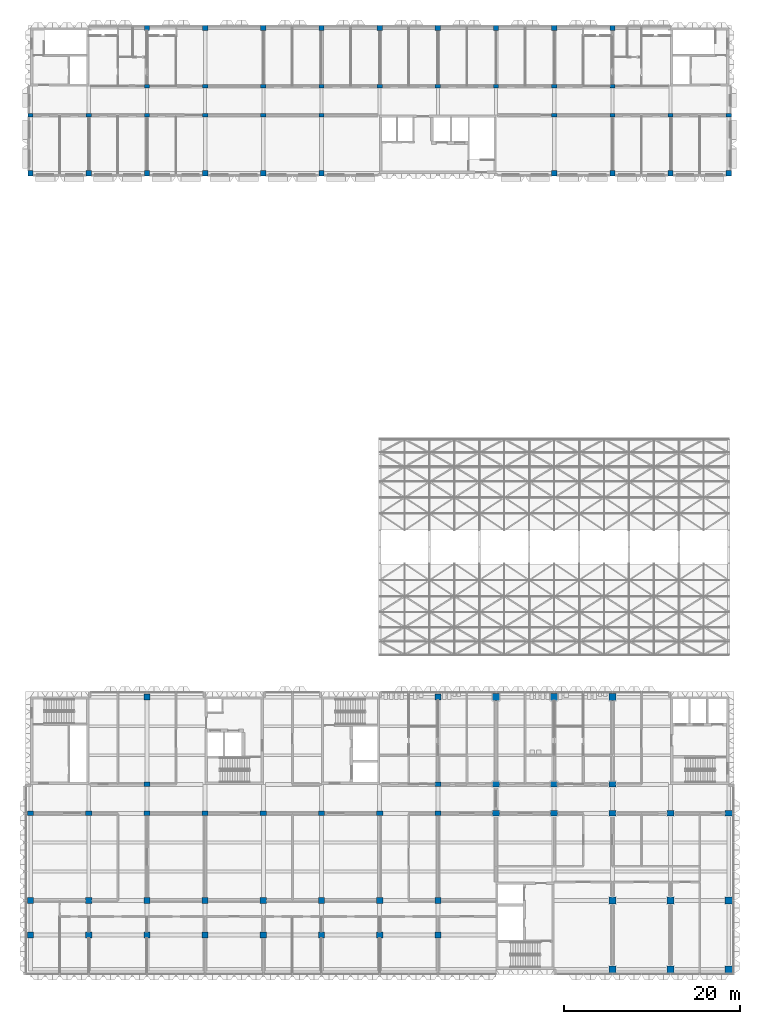
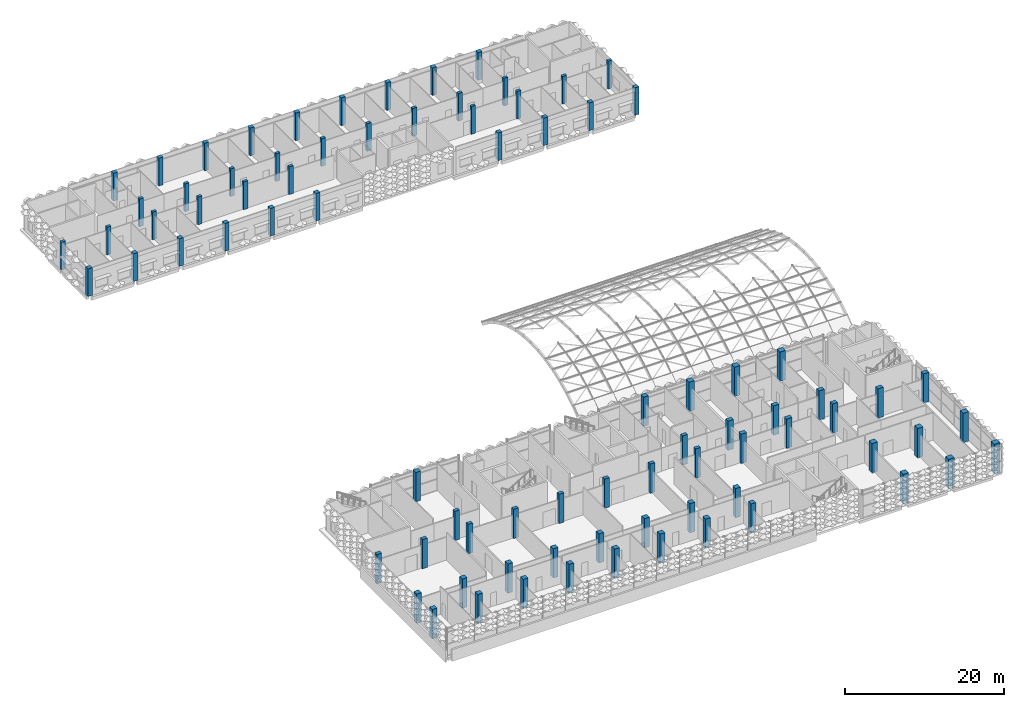
# One storey, part 1 of 85: 83 columns.
"""IFC4 building model written with IfcOpenShell, lengths in metres."""

from ifc_helpers import new_model, si_unit, direction, frame, origin, origin_2d, place, context, subcontext, project, spatial, rectangle, extrude, material, material_profile, profile_set, type_object, element, save


model = new_model("IFC4")

# Units and contexts
model_context = context("Model", 3, precision=1e-05, world=origin(), true_north=direction((0.0, 1.0)))
body_context = subcontext(model_context, "Body", "Model", "MODEL_VIEW")
ifc_project = project(units=[si_unit("LENGTHUNIT", "METRE"), si_unit("AREAUNIT", "SQUARE_METRE"), si_unit("VOLUMEUNIT", "CUBIC_METRE"), si_unit("PLANEANGLEUNIT", "RADIAN"), si_unit("MASSUNIT", "GRAM", prefix="KILO")], contexts=[model_context])

# Site, building, storey
site_placement = place(None, origin())
site = spatial("IfcSite", under=ifc_project, at=site_placement, CompositionType="ELEMENT")
building_placement = place(site_placement, origin())
building = spatial("IfcBuilding", under=site, at=building_placement, Name="Lantern Court Research Institute", CompositionType="ELEMENT")
storey_placement = place(building_placement, frame((0.0, 0.0, 18.89990234375)))
storey = spatial("IfcBuildingStorey", under=building, at=storey_placement, Name="L04", CompositionType="ELEMENT", Elevation=18.89990234375)

# Columns
ifc_material_1 = material(Name="Concrete C40/50", Category="concrete")
ifc_material_profile_1 = material_profile(ifc_material_1, rectangle(XDim=0.60009765625, YDim=0.39990234375, at=origin_2d()), Name="RC column 600 x 400")
ifc_profile_set_1 = profile_set([ifc_material_profile_1], Name="Concrete C40/50")
column_type_1 = type_object("IfcColumnType", Name="RC column 600 x 400", PredefinedType="COLUMN", material=ifc_profile_set_1)
for number, where, z_axis, x_axis, name in (
    (1, (0.0, 89.10009765625, 0.0), (0.0, 0.0, 1.0), (1.0, 0.0, 0.0), "Column L04 grid 1/K"),
    (2, (6.60009765625, 89.10009765625, 0.0), (0.0, 0.0, 1.0), (1.0, 0.0, 0.0), "Column L04 grid 2/K"),
    (3, (13.199951171875, 89.10009765625, 0.0), (0.0, 0.0, 1.0), (1.0, 0.0, 0.0), "Column L04 grid 3/K"),
    (4, (13.199951171875, 92.39990234375, 0.0), (0.0, 0.0, 1.0), (1.0, 0.0, 0.0), "Column L04 grid 3/L"),
    (5, (19.800048828125, 89.10009765625, 0.0), (0.0, 0.0, 1.0), (1.0, 0.0, 0.0), "Column L04 grid 4/K"),
    (6, (19.800048828125, 92.39990234375, 0.0), (0.0, 0.0, 1.0), (1.0, 0.0, 0.0), "Column L04 grid 4/L"),
    (7, (26.39990234375, 89.10009765625, 0.0), (0.0, 0.0, 1.0), (1.0, 0.0, 0.0), "Column L04 grid 5/K"),
    (8, (26.39990234375, 92.39990234375, 0.0), (0.0, 0.0, 1.0), (1.0, 0.0, 0.0), "Column L04 grid 5/L"),
    (9, (33.0, 89.10009765625, 0.0), (0.0, 0.0, 1.0), (1.0, 0.0, 0.0), "Column L04 grid 6/K"),
    (10, (33.0, 92.39990234375, 0.0), (0.0, 0.0, 1.0), (1.0, 0.0, 0.0), "Column L04 grid 6/L"),
    (11, (39.60009765625, 92.39990234375, 0.0), (0.0, 0.0, 1.0), (1.0, 0.0, 0.0), "Column L04 grid 7/L"),
    (12, (46.199951171875, 92.39990234375, 0.0), (0.0, 0.0, 1.0), (1.0, 0.0, 0.0), "Column L04 grid 8/L"),
    (13, (52.800048828125, 92.39990234375, 0.0), (0.0, 0.0, 1.0), (1.0, 0.0, 0.0), "Column L04 grid 9/L"),
    (14, (59.39990234375, 89.10009765625, 0.0), (0.0, 0.0, 1.0), (1.0, 0.0, 0.0), "Column L04 grid 10/K"),
    (15, (59.39990234375, 92.39990234375, 0.0), (0.0, 0.0, 1.0), (1.0, 0.0, 0.0), "Column L04 grid 10/L"),
    (16, (66.0, 89.10009765625, 0.0), (0.0, 0.0, 1.0), (1.0, 0.0, 0.0), "Column L04 grid 11/K"),
    (17, (66.0, 92.39990234375, 0.0), (0.0, 0.0, 1.0), (1.0, 0.0, 0.0), "Column L04 grid 11/L"),
    (18, (72.60009765625, 89.10009765625, 0.0), (0.0, 0.0, 1.0), (1.0, 0.0, 0.0), "Column L04 grid 12/K"),
    (19, (79.199951171875, 89.10009765625, 0.0), (0.0, 0.0, 1.0), (1.0, 0.0, 0.0), "Column L04 grid 13/K"),
):
    element("IfcColumn", number, at=place(storey_placement, frame(where, z_axis=z_axis, x_axis=x_axis)), inside=storey, type_object=column_type_1, Name=name, PredefinedType="COLUMN", context=body_context, shape_type="SweptSolid", body=[
        extrude(rectangle(XDim=0.60009765625, YDim=0.39990234375, at=origin_2d()), origin(), (0.0, 0.0, 1.0), 4.25),
    ])
ifc_material_2 = material(Name="Concrete C40/50", Category="concrete")
ifc_material_profile_2 = material_profile(ifc_material_2, rectangle(XDim=0.60009765625, YDim=0.60009765625, at=origin_2d()), Name="RC column 600 x 600")
ifc_profile_set_2 = profile_set([ifc_material_profile_2], Name="Concrete C40/50")
column_type_2 = type_object("IfcColumnType", Name="RC column 600 x 600", PredefinedType="COLUMN", material=ifc_profile_set_2)
for number, where, z_axis, x_axis, name in (
    (20, (0.0, 82.5, 0.0), (0.0, 0.0, 1.0), (1.0, 0.0, 0.0), "Column L04 grid 1/J"),
    (21, (6.60009765625, 82.5, 0.0), (0.0, 0.0, 1.0), (1.0, 0.0, 0.0), "Column L04 grid 2/J"),
    (22, (13.199951171875, 82.5, 0.0), (0.0, 0.0, 1.0), (1.0, 0.0, 0.0), "Column L04 grid 3/J"),
    (23, (13.199951171875, 99.0, 0.0), (0.0, 0.0, 1.0), (1.0, 0.0, 0.0), "Column L04 grid 3/M"),
    (24, (19.800048828125, 82.5, 0.0), (0.0, 0.0, 1.0), (1.0, 0.0, 0.0), "Column L04 grid 4/J"),
    (25, (19.800048828125, 99.0, 0.0), (0.0, 0.0, 1.0), (1.0, 0.0, 0.0), "Column L04 grid 4/M"),
    (26, (26.39990234375, 82.5, 0.0), (0.0, 0.0, 1.0), (1.0, 0.0, 0.0), "Column L04 grid 5/J"),
    (27, (26.39990234375, 99.0, 0.0), (0.0, 0.0, 1.0), (1.0, 0.0, 0.0), "Column L04 grid 5/M"),
    (28, (33.0, 82.5, 0.0), (0.0, 0.0, 1.0), (1.0, 0.0, 0.0), "Column L04 grid 6/J"),
    (29, (33.0, 99.0, 0.0), (0.0, 0.0, 1.0), (1.0, 0.0, 0.0), "Column L04 grid 6/M"),
    (30, (39.60009765625, 99.0, 0.0), (0.0, 0.0, 1.0), (1.0, 0.0, 0.0), "Column L04 grid 7/M"),
    (31, (46.199951171875, 99.0, 0.0), (0.0, 0.0, 1.0), (1.0, 0.0, 0.0), "Column L04 grid 8/M"),
    (32, (52.800048828125, 99.0, 0.0), (0.0, 0.0, 1.0), (1.0, 0.0, 0.0), "Column L04 grid 9/M"),
    (33, (59.39990234375, 82.5, 0.0), (0.0, 0.0, 1.0), (1.0, 0.0, 0.0), "Column L04 grid 10/J"),
    (34, (59.39990234375, 99.0, 0.0), (0.0, 0.0, 1.0), (1.0, 0.0, 0.0), "Column L04 grid 10/M"),
    (35, (66.0, 82.5, 0.0), (0.0, 0.0, 1.0), (1.0, 0.0, 0.0), "Column L04 grid 11/J"),
    (36, (66.0, 99.0, 0.0), (0.0, 0.0, 1.0), (1.0, 0.0, 0.0), "Column L04 grid 11/M"),
    (37, (72.60009765625, 82.5, 0.0), (0.0, 0.0, 1.0), (1.0, 0.0, 0.0), "Column L04 grid 12/J"),
    (38, (79.199951171875, 82.5, 0.0), (0.0, 0.0, 1.0), (1.0, 0.0, 0.0), "Column L04 grid 13/J"),
):
    element("IfcColumn", number, at=place(storey_placement, frame(where, z_axis=z_axis, x_axis=x_axis)), inside=storey, type_object=column_type_2, Name=name, PredefinedType="COLUMN", context=body_context, shape_type="SweptSolid", body=[
        extrude(rectangle(XDim=0.60009765625, YDim=0.60009765625, at=origin_2d()), origin(), (0.0, 0.0, 1.0), 4.25),
    ])
ifc_material_3 = material(Name="Concrete C40/50", Category="concrete")
ifc_material_profile_3 = material_profile(ifc_material_3, rectangle(XDim=0.699951171875, YDim=0.5, at=origin_2d()), Name="RC column 700 x 500")
ifc_profile_set_3 = profile_set([ifc_material_profile_3], Name="Concrete C40/50")
column_type_3 = type_object("IfcColumnType", Name="RC column 700 x 500", PredefinedType="COLUMN", material=ifc_profile_set_3)
for number, where, z_axis, x_axis, name in (
    (39, (0.0, 9.89990234375, 0.0), (0.0, 0.0, 1.0), (1.0, 0.0, 0.0), "Column L04 grid 1/B"),
    (40, (6.60009765625, 9.89990234375, 0.0), (0.0, 0.0, 1.0), (1.0, 0.0, 0.0), "Column L04 grid 2/B"),
    (41, (13.199951171875, 9.89990234375, 0.0), (0.0, 0.0, 1.0), (1.0, 0.0, 0.0), "Column L04 grid 3/B"),
    (42, (13.199951171875, 13.199951171875, 0.0), (0.0, 0.0, 1.0), (1.0, 0.0, 0.0), "Column L04 grid 3/C"),
    (43, (19.800048828125, 9.89990234375, 0.0), (0.0, 0.0, 1.0), (1.0, 0.0, 0.0), "Column L04 grid 4/B"),
    (44, (26.39990234375, 9.89990234375, 0.0), (0.0, 0.0, 1.0), (1.0, 0.0, 0.0), "Column L04 grid 5/B"),
    (45, (33.0, 9.89990234375, 0.0), (0.0, 0.0, 1.0), (1.0, 0.0, 0.0), "Column L04 grid 6/B"),
    (46, (39.60009765625, 9.89990234375, 0.0), (0.0, 0.0, 1.0), (1.0, 0.0, 0.0), "Column L04 grid 7/B"),
    (47, (46.199951171875, 9.89990234375, 0.0), (0.0, 0.0, 1.0), (1.0, 0.0, 0.0), "Column L04 grid 8/B"),
    (48, (46.199951171875, 13.199951171875, 0.0), (0.0, 0.0, 1.0), (1.0, 0.0, 0.0), "Column L04 grid 8/C"),
):
    element("IfcColumn", number, at=place(storey_placement, frame(where, z_axis=z_axis, x_axis=x_axis)), inside=storey, type_object=column_type_3, Name=name, PredefinedType="COLUMN", context=body_context, shape_type="SweptSolid", body=[
        extrude(rectangle(XDim=0.699951171875, YDim=0.5, at=origin_2d()), origin(), (0.0, 0.0, 1.0), 4.5),
    ])
ifc_material_4 = material(Name="Concrete C40/50", Category="concrete")
ifc_material_profile_4 = material_profile(ifc_material_4, rectangle(XDim=0.699951171875, YDim=0.699951171875, at=origin_2d()), Name="RC column 700 x 700")
ifc_profile_set_4 = profile_set([ifc_material_profile_4], Name="Concrete C40/50")
column_type_4 = type_object("IfcColumnType", Name="RC column 700 x 700", PredefinedType="COLUMN", material=ifc_profile_set_4)
for number, where, z_axis, x_axis, name in (
    (49, (0.0, 0.0, 0.0), (0.0, 0.0, 1.0), (1.0, 0.0, 0.0), "Column L04 grid 1/A"),
    (50, (6.60009765625, 0.0, 0.0), (0.0, 0.0, 1.0), (1.0, 0.0, 0.0), "Column L04 grid 2/A"),
    (51, (13.199951171875, 0.0, 0.0), (0.0, 0.0, 1.0), (1.0, 0.0, 0.0), "Column L04 grid 3/A"),
    (52, (13.199951171875, 23.10009765625, 0.0), (0.0, 0.0, 1.0), (1.0, 0.0, 0.0), "Column L04 grid 3/D"),
    (53, (19.800048828125, 0.0, 0.0), (0.0, 0.0, 1.0), (1.0, 0.0, 0.0), "Column L04 grid 4/A"),
    (54, (26.39990234375, 0.0, 0.0), (0.0, 0.0, 1.0), (1.0, 0.0, 0.0), "Column L04 grid 5/A"),
    (55, (33.0, 0.0, 0.0), (0.0, 0.0, 1.0), (1.0, 0.0, 0.0), "Column L04 grid 6/A"),
    (56, (39.60009765625, 0.0, 0.0), (0.0, 0.0, 1.0), (1.0, 0.0, 0.0), "Column L04 grid 7/A"),
    (57, (46.199951171875, 0.0, 0.0), (0.0, 0.0, 1.0), (1.0, 0.0, 0.0), "Column L04 grid 8/A"),
    (58, (46.199951171875, 23.10009765625, 0.0), (0.0, 0.0, 1.0), (1.0, 0.0, 0.0), "Column L04 grid 8/D"),
    (59, (0.0, -3.89990234375, 0.0), (0.0, 0.0, 1.0), (1.0, 0.0, 0.0), "Column L04 grid 1/Y"),
    (60, (6.60009765625, -3.89990234375, 0.0), (0.0, 0.0, 1.0), (1.0, 0.0, 0.0), "Column L04 grid 2/Y"),
    (61, (13.199951171875, -3.89990234375, 0.0), (0.0, 0.0, 1.0), (1.0, 0.0, 0.0), "Column L04 grid 3/Y"),
    (62, (19.800048828125, -3.89990234375, 0.0), (0.0, 0.0, 1.0), (1.0, 0.0, 0.0), "Column L04 grid 4/Y"),
    (63, (26.39990234375, -3.89990234375, 0.0), (0.0, 0.0, 1.0), (1.0, 0.0, 0.0), "Column L04 grid 5/Y"),
    (64, (33.0, -3.89990234375, 0.0), (0.0, 0.0, 1.0), (1.0, 0.0, 0.0), "Column L04 grid 6/Y"),
    (65, (39.60009765625, -3.89990234375, 0.0), (0.0, 0.0, 1.0), (1.0, 0.0, 0.0), "Column L04 grid 7/Y"),
    (66, (46.199951171875, -3.89990234375, 0.0), (0.0, 0.0, 1.0), (1.0, 0.0, 0.0), "Column L04 grid 8/Y"),
):
    element("IfcColumn", number, at=place(storey_placement, frame(where, z_axis=z_axis, x_axis=x_axis)), inside=storey, type_object=column_type_4, Name=name, PredefinedType="COLUMN", context=body_context, shape_type="SweptSolid", body=[
        extrude(rectangle(XDim=0.699951171875, YDim=0.699951171875, at=origin_2d()), origin(), (0.0, 0.0, 1.0), 4.5),
    ])
ifc_material_5 = material(Name="Concrete C40/50", Category="concrete")
ifc_material_profile_5 = material_profile(ifc_material_5, rectangle(XDim=0.800048828125, YDim=0.60009765625, at=origin_2d()), Name="RC column 800 x 600")
ifc_profile_set_5 = profile_set([ifc_material_profile_5], Name="Concrete C40/50")
column_type_5 = type_object("IfcColumnType", Name="RC column 800 x 600", PredefinedType="COLUMN", material=ifc_profile_set_5)
for number, where, z_axis, x_axis, name in (
    (67, (52.800048828125, 9.89990234375, 0.0), (0.0, 0.0, 1.0), (1.0, 0.0, 0.0), "Column L04 grid 9/B"),
    (68, (52.800048828125, 13.199951171875, 0.0), (0.0, 0.0, 1.0), (1.0, 0.0, 0.0), "Column L04 grid 9/C"),
    (69, (59.39990234375, 9.89990234375, 0.0), (0.0, 0.0, 1.0), (1.0, 0.0, 0.0), "Column L04 grid 10/B"),
    (70, (59.39990234375, 13.199951171875, 0.0), (0.0, 0.0, 1.0), (1.0, 0.0, 0.0), "Column L04 grid 10/C"),
    (71, (66.0, 9.89990234375, 0.0), (0.0, 0.0, 1.0), (1.0, 0.0, 0.0), "Column L04 grid 11/B"),
    (72, (66.0, 13.199951171875, 0.0), (0.0, 0.0, 1.0), (1.0, 0.0, 0.0), "Column L04 grid 11/C"),
    (73, (72.60009765625, 9.89990234375, 0.0), (0.0, 0.0, 1.0), (1.0, 0.0, 0.0), "Column L04 grid 12/B"),
    (74, (79.199951171875, 9.89990234375, 0.0), (0.0, 0.0, 1.0), (1.0, 0.0, 0.0), "Column L04 grid 13/B"),
):
    element("IfcColumn", number, at=place(storey_placement, frame(where, z_axis=z_axis, x_axis=x_axis)), inside=storey, type_object=column_type_5, Name=name, PredefinedType="COLUMN", context=body_context, shape_type="SweptSolid", body=[
        extrude(rectangle(XDim=0.800048828125, YDim=0.60009765625, at=origin_2d()), origin(), (0.0, 0.0, 1.0), 4.5),
    ])
ifc_material_6 = material(Name="Concrete C40/50", Category="concrete")
ifc_material_profile_6 = material_profile(ifc_material_6, rectangle(XDim=0.800048828125, YDim=0.800048828125, at=origin_2d()), Name="RC column 800 x 800")
ifc_profile_set_6 = profile_set([ifc_material_profile_6], Name="Concrete C40/50")
column_type_6 = type_object("IfcColumnType", Name="RC column 800 x 800", PredefinedType="COLUMN", material=ifc_profile_set_6)
for number, where, z_axis, x_axis, name in (
    (75, (52.800048828125, 23.10009765625, 0.0), (0.0, 0.0, 1.0), (1.0, 0.0, 0.0), "Column L04 grid 9/D"),
    (76, (59.39990234375, 23.10009765625, 0.0), (0.0, 0.0, 1.0), (1.0, 0.0, 0.0), "Column L04 grid 10/D"),
    (77, (66.0, -7.800048828125, 0.0), (0.0, 0.0, 1.0), (1.0, 0.0, 0.0), "Column L04 grid 11/Z"),
    (78, (66.0, 0.0, 0.0), (0.0, 0.0, 1.0), (1.0, 0.0, 0.0), "Column L04 grid 11/A"),
    (79, (66.0, 23.10009765625, 0.0), (0.0, 0.0, 1.0), (1.0, 0.0, 0.0), "Column L04 grid 11/D"),
    (80, (72.60009765625, -7.800048828125, 0.0), (0.0, 0.0, 1.0), (1.0, 0.0, 0.0), "Column L04 grid 12/Z"),
    (81, (72.60009765625, 0.0, 0.0), (0.0, 0.0, 1.0), (1.0, 0.0, 0.0), "Column L04 grid 12/A"),
    (82, (79.199951171875, -7.800048828125, 0.0), (0.0, 0.0, 1.0), (1.0, 0.0, 0.0), "Column L04 grid 13/Z"),
    (83, (79.199951171875, 0.0, 0.0), (0.0, 0.0, 1.0), (1.0, 0.0, 0.0), "Column L04 grid 13/A"),
):
    element("IfcColumn", number, at=place(storey_placement, frame(where, z_axis=z_axis, x_axis=x_axis)), inside=storey, type_object=column_type_6, Name=name, PredefinedType="COLUMN", context=body_context, shape_type="SweptSolid", body=[
        extrude(rectangle(XDim=0.800048828125, YDim=0.800048828125, at=origin_2d()), origin(), (0.0, 0.0, 1.0), 4.5),
    ])

save(model, "model.ifc")
